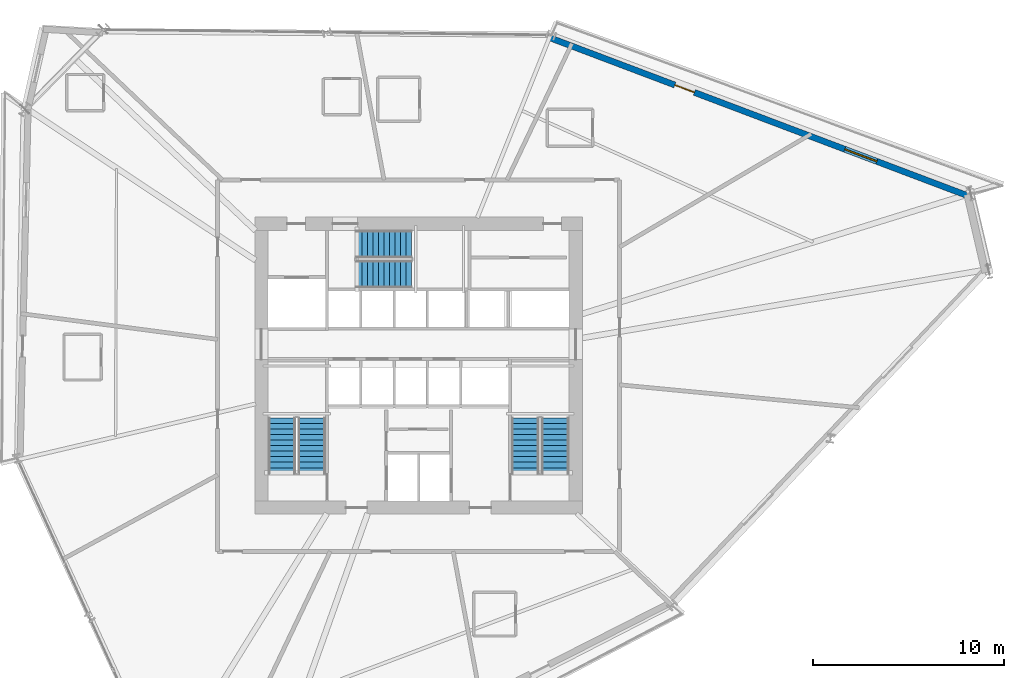
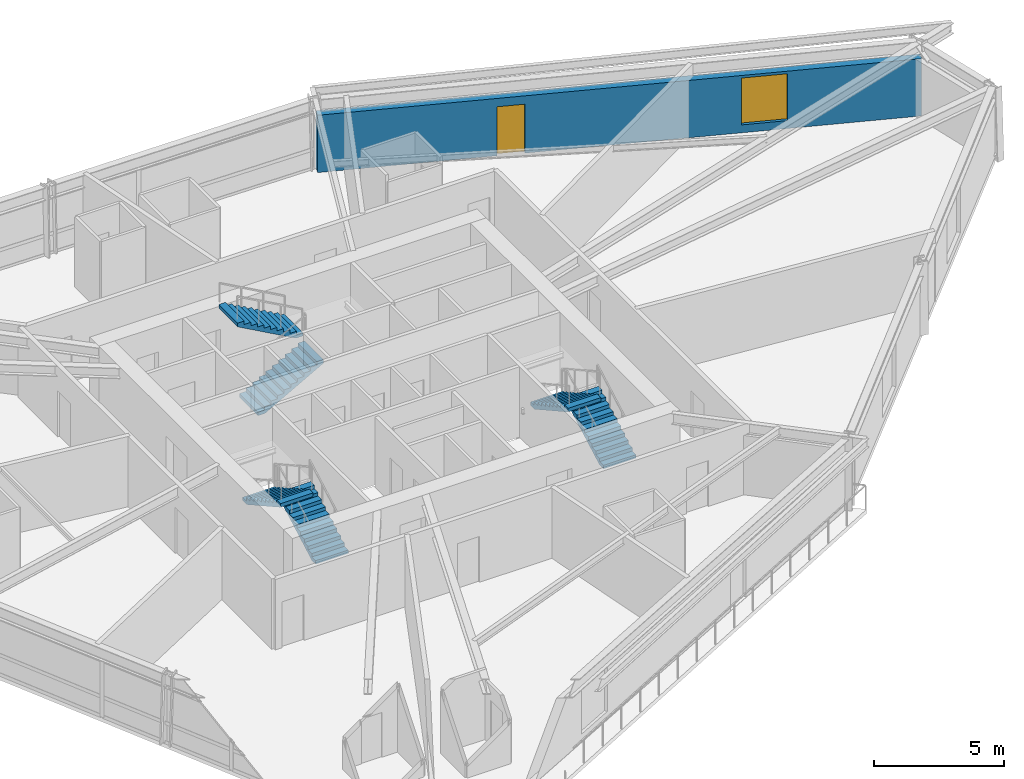
# One storey, part 17 of 21: 6 stair flights, 1 door, 1 wall, 1 window, 2 openings, 3 elements without a shape of their own.
"""IFC4 building model written with IfcOpenShell, lengths in metres."""

from ifc_helpers import new_model, si_unit, direction, frame, frame_2d, origin, place, context, subcontext, project, spatial, polyline, rectangle, outline, extrude, source, transform, mapped, material, layer, layer_set, type_object, type_shapes, element, fill, aggregate, save


model = new_model("IFC4")

# Units and contexts
model_context = context("Model", 3, precision=1e-05, world=origin(), true_north=direction((0.0, 1.0)))
body_context = subcontext(model_context, "Body", "Model", "MODEL_VIEW")
ifc_project = project(units=[si_unit("LENGTHUNIT", "METRE"), si_unit("AREAUNIT", "SQUARE_METRE"), si_unit("VOLUMEUNIT", "CUBIC_METRE"), si_unit("PLANEANGLEUNIT", "RADIAN"), si_unit("MASSUNIT", "GRAM", prefix="KILO")], contexts=[model_context])

# Site, building, storey
site_placement = place(None, origin())
site = spatial("IfcSite", under=ifc_project, at=site_placement, CompositionType="ELEMENT")
building_placement = place(site_placement, origin())
building = spatial("IfcBuilding", under=site, at=building_placement, Name="Olszyna Solenne Hotel", CompositionType="ELEMENT")
storey_placement = place(building_placement, frame((0.0, 0.0, 91.5)))
storey = spatial("IfcBuildingStorey", under=building, at=storey_placement, Name="L23", CompositionType="ELEMENT", Elevation=91.5)

# Wall, openings, door, window
ifc_material_1 = material(Name="Precast concrete C45/55", Category="concrete")
ifc_layer = layer(ifc_material_1, 0.320068359375, Name="Precast concrete C45/55")
ifc_layer_set = layer_set([ifc_layer], Name="Precast concrete C45/55")
wall_type = type_object("IfcWallType", Name="WL-EX320", PredefinedType="SOLIDWALL", material=ifc_layer_set)
wall_placement = place(storey_placement, frame((44.91552734375, 43.800537109375, 0.0), z_axis=(0.0, 0.0, 1.0), x_axis=(0.935383996815, -0.353633678404, 0.0)))
wall = element("IfcWall", 1, at=wall_placement, inside=storey, type_object=wall_type, Name="Exterior terracotta-precast frame wall WL-EX320 EW-L23-08", PredefinedType="SOLIDWALL", context=body_context, shape_type="SweptSolid", body=[
    extrude(rectangle(XDim=23.543212890625, YDim=0.320068359375, at=frame_2d((11.771484375, 0.0))), origin(), (0.0, 0.0, 1.0), 2.69189453125),
])
opening_1_placement = place(wall_placement, frame((6.98388671875, 0.0, 0.0)))
opening_1 = element("IfcOpeningElement", 2, at=opening_1_placement, cuts=wall, Name="Opening LDG-L23-1", PredefinedType="OPENING", context=body_context, shape_type="SweptSolid", body=[
    extrude(rectangle(XDim=1.10009765625, YDim=2.300048828125, at=frame_2d((0.550048828125, 1.14990234375))), frame((0.0, 0.169921875, 0.0), z_axis=(0.0, -1.0, 0.0), x_axis=(1.0, 0.0, 0.0)), (0.0, 0.0, 1.0), 0.340087890625),
])
opening_2_placement = place(wall_placement, frame((16.52197265625, 0.0, 0.3720703125)))
opening_2 = element("IfcOpeningElement", 3, at=opening_2_placement, cuts=wall, Name="Opening WN-L23-124", PredefinedType="OPENING", context=body_context, shape_type="SweptSolid", body=[
    extrude(rectangle(XDim=1.800048828125, YDim=2.199951171875, at=frame_2d((0.89990234375, 1.10009765625))), frame((0.0, 0.169921875, 0.0), z_axis=(0.0, -1.0, 0.0), x_axis=(1.0, 0.0, 0.0)), (0.0, 0.0, 1.0), 0.340087890625),
])
ifc_material_2 = material(Name="Anodised bronze aluminium", Category="aluminium")
door_type = type_object("IfcDoorType", Name="DR-LG1", OperationType="NOTDEFINED", PredefinedType="DOOR", material=ifc_material_2)
shared_shape_1 = source(origin(), body_context, "Body", "SweptSolid", [
    extrude(rectangle(XDim=1.10009765625, YDim=2.300048828125, at=frame_2d((0.550048828125, 1.14990234375))), frame((0.0, 0.02490234375, 0.0), z_axis=(0.0, -1.0, 0.0), x_axis=(1.0, 0.0, 0.0)), (0.0, 0.0, 1.0), 0.050048828125),
])
type_shapes(door_type, [shared_shape_1])
door_placement = place(opening_1_placement, origin())
door = element("IfcDoor", 4, at=door_placement, inside=storey, type_object=door_type, Name="Exterior loggia balcony door DR-LG1 LDG-L23-1", OperationType="SINGLE_SWING_RIGHT", OverallHeight=2.300048828125, OverallWidth=1.10009765625, PredefinedType="DOOR", context=body_context, shape_type="MappedRepresentation", body=[
    mapped(shared_shape_1, transform((0.0, 0.0, 0.0), x_axis=(1.0, 0.0, 0.0), y_axis=(0.0, 1.0, 0.0), z_axis=(0.0, 0.0, 1.0), scale=1.0)),
])
fill(opening_1, door)
ifc_material_3 = material(Name="Low-E triple glazing", Category="glass")
window_type = type_object("IfcWindowType", Name="WN-HT1", PartitioningType="SINGLE_PANEL", PredefinedType="WINDOW", material=ifc_material_3)
shared_shape_2 = source(origin(), body_context, "Body", "SweptSolid", [
    extrude(rectangle(XDim=1.800048828125, YDim=2.199951171875, at=frame_2d((0.89990234375, 1.10009765625))), frame((0.0, 0.030029296875, 0.0), z_axis=(0.0, -1.0, 0.0), x_axis=(1.0, 0.0, 0.0)), (0.0, 0.0, 1.0), 0.06005859375),
])
type_shapes(window_type, [shared_shape_2])
window_placement = place(opening_2_placement, origin())
window = element("IfcWindow", 5, at=window_placement, inside=storey, type_object=window_type, Name="Loggia room window WN-HT1 WN-L23-124", OverallHeight=2.199951171875, OverallWidth=1.800048828125, PartitioningType="SINGLE_PANEL", PredefinedType="WINDOW", context=body_context, shape_type="MappedRepresentation", body=[
    mapped(shared_shape_2, transform((0.0, 0.0, 0.0), x_axis=(1.0, 0.0, 0.0), y_axis=(0.0, 1.0, 0.0), z_axis=(0.0, 0.0, 1.0), scale=1.0)),
])
fill(opening_2, window)

# Stair, stair flights
ifc_material_4 = material(Name="Concrete C40/50", Category="concrete")
stair_type = type_object("IfcStairType", Name="STR-C1", PredefinedType="TWO_QUARTER_WINDING_STAIR", material=ifc_material_4)
stair_1_placement = place(storey_placement, origin())
stair_1 = element("IfcStair", 6, at=stair_1_placement, inside=storey, type_object=stair_type, Name="L23 ST1", PredefinedType="TWO_QUARTER_WINDING_STAIR")
stair_flight_type = type_object("IfcStairFlightType", Name="FLT-C1", PredefinedType="STRAIGHT", material=ifc_material_4)
stair_flight_1_placement = place(storey_placement, frame((32.39501953125, 20.949951171875, 0.0), z_axis=(0.0, 0.0, 1.0), x_axis=(0.0, 1.0, 0.0)))
stair_flight_1 = element("IfcStairFlight", 7, at=stair_flight_1_placement, type_object=stair_flight_type, Name="ST1 flight 1", NumberOfRisers=11, NumberOfTreads=10, PredefinedType="STRAIGHT", RiserHeight=0.161363636, TreadLength=0.29, context=body_context, shape_type="SweptSolid", body=[
    extrude(outline(polyline([(0.0, 0.0), (0.0, 0.161376953125), (0.2900390625, 0.161376953125), (0.2900390625, 0.32275390625), (0.580078125, 0.32275390625), (0.580078125, 0.484130859375), (0.8701171875, 0.484130859375), (0.8701171875, 0.6455078125), (1.159912109375, 0.6455078125), (1.159912109375, 0.806884765625), (1.449951171875, 0.806884765625), (1.449951171875, 0.96826171875), (1.739990234375, 0.96826171875), (1.739990234375, 1.129638671875), (2.030029296875, 1.129638671875), (2.030029296875, 1.291015625), (2.320068359375, 1.291015625), (2.320068359375, 1.452392578125), (2.610107421875, 1.452392578125), (2.610107421875, 1.613525390625), (2.89990234375, 1.613525390625), (2.89990234375, 1.77490234375), (2.89990234375, 1.442138671875), (0.308349609375, 0.0), (0.0, 0.0)])), frame((0.0, 0.72509765625, 0.0), z_axis=(0.0, -1.0, 0.0), x_axis=(1.0, 0.0, 0.0)), (0.0, 0.0, 1.0), 1.449951171875),
])
stair_flight_2_placement = place(storey_placement, frame((30.824951171875, 23.85009765625, 1.77490234375), z_axis=(0.0, 0.0, 1.0), x_axis=(0.0, -1.0, 0.0)))
stair_flight_2 = element("IfcStairFlight", 8, at=stair_flight_2_placement, type_object=stair_flight_type, Name="ST1 flight 2", NumberOfRisers=11, NumberOfTreads=10, PredefinedType="STRAIGHT", RiserHeight=0.161363636, TreadLength=0.29, context=body_context, shape_type="SweptSolid", body=[
    extrude(outline(polyline([(0.0, 0.0), (0.0, 0.161376953125), (0.2900390625, 0.161376953125), (0.2900390625, 0.32275390625), (0.580078125, 0.32275390625), (0.580078125, 0.484130859375), (0.8701171875, 0.484130859375), (0.8701171875, 0.6455078125), (1.159912109375, 0.6455078125), (1.159912109375, 0.806884765625), (1.449951171875, 0.806884765625), (1.449951171875, 0.96826171875), (1.739990234375, 0.96826171875), (1.739990234375, 1.129638671875), (2.030029296875, 1.129638671875), (2.030029296875, 1.291015625), (2.320068359375, 1.291015625), (2.320068359375, 1.452392578125), (2.610107421875, 1.452392578125), (2.610107421875, 1.613525390625), (2.89990234375, 1.613525390625), (2.89990234375, 1.77490234375), (2.89990234375, 1.442138671875), (0.308349609375, 0.0), (0.0, 0.0)])), frame((0.0, 0.72509765625, 0.0), z_axis=(0.0, -1.0, 0.0), x_axis=(1.0, 0.0, 0.0)), (0.0, 0.0, 1.0), 1.449951171875),
])
aggregate(stair_1, [stair_flight_1, stair_flight_2])

stair_2_placement = place(storey_placement, origin())
stair_2 = element("IfcStair", 9, at=stair_2_placement, inside=storey, type_object=stair_type, Name="L23 ST2", PredefinedType="TWO_QUARTER_WINDING_STAIR")
stair_flight_3_placement = place(storey_placement, frame((45.175048828125, 20.949951171875, 0.0), z_axis=(0.0, 0.0, 1.0), x_axis=(0.0, 1.0, 0.0)))
stair_flight_3 = element("IfcStairFlight", 10, at=stair_flight_3_placement, type_object=stair_flight_type, Name="ST2 flight 1", NumberOfRisers=11, NumberOfTreads=10, PredefinedType="STRAIGHT", RiserHeight=0.161363636, TreadLength=0.29, context=body_context, shape_type="SweptSolid", body=[
    extrude(outline(polyline([(0.0, 0.0), (0.0, 0.161376953125), (0.2900390625, 0.161376953125), (0.2900390625, 0.32275390625), (0.580078125, 0.32275390625), (0.580078125, 0.484130859375), (0.8701171875, 0.484130859375), (0.8701171875, 0.6455078125), (1.159912109375, 0.6455078125), (1.159912109375, 0.806884765625), (1.449951171875, 0.806884765625), (1.449951171875, 0.96826171875), (1.739990234375, 0.96826171875), (1.739990234375, 1.129638671875), (2.030029296875, 1.129638671875), (2.030029296875, 1.291015625), (2.320068359375, 1.291015625), (2.320068359375, 1.452392578125), (2.610107421875, 1.452392578125), (2.610107421875, 1.613525390625), (2.89990234375, 1.613525390625), (2.89990234375, 1.77490234375), (2.89990234375, 1.442138671875), (0.308349609375, 0.0), (0.0, 0.0)])), frame((0.0, 0.72509765625, 0.0), z_axis=(0.0, -1.0, 0.0), x_axis=(1.0, 0.0, 0.0)), (0.0, 0.0, 1.0), 1.449951171875),
])
stair_flight_4_placement = place(storey_placement, frame((43.60498046875, 23.85009765625, 1.77490234375), z_axis=(0.0, 0.0, 1.0), x_axis=(0.0, -1.0, 0.0)))
stair_flight_4 = element("IfcStairFlight", 11, at=stair_flight_4_placement, type_object=stair_flight_type, Name="ST2 flight 2", NumberOfRisers=11, NumberOfTreads=10, PredefinedType="STRAIGHT", RiserHeight=0.161363636, TreadLength=0.29, context=body_context, shape_type="SweptSolid", body=[
    extrude(outline(polyline([(0.0, 0.0), (0.0, 0.161376953125), (0.2900390625, 0.161376953125), (0.2900390625, 0.32275390625), (0.580078125, 0.32275390625), (0.580078125, 0.484130859375), (0.8701171875, 0.484130859375), (0.8701171875, 0.6455078125), (1.159912109375, 0.6455078125), (1.159912109375, 0.806884765625), (1.449951171875, 0.806884765625), (1.449951171875, 0.96826171875), (1.739990234375, 0.96826171875), (1.739990234375, 1.129638671875), (2.030029296875, 1.129638671875), (2.030029296875, 1.291015625), (2.320068359375, 1.291015625), (2.320068359375, 1.452392578125), (2.610107421875, 1.452392578125), (2.610107421875, 1.613525390625), (2.89990234375, 1.613525390625), (2.89990234375, 1.77490234375), (2.89990234375, 1.442138671875), (0.308349609375, 0.0), (0.0, 0.0)])), frame((0.0, 0.72509765625, 0.0), z_axis=(0.0, -1.0, 0.0), x_axis=(1.0, 0.0, 0.0)), (0.0, 0.0, 1.0), 1.449951171875),
])
aggregate(stair_2, [stair_flight_3, stair_flight_4])

stair_3_placement = place(storey_placement, origin())
stair_3 = element("IfcStair", 12, at=stair_3_placement, inside=storey, type_object=stair_type, Name="L23 ST3", PredefinedType="TWO_QUARTER_WINDING_STAIR")
stair_flight_5_placement = place(storey_placement, frame((34.72998046875, 31.405029296875, 0.0), z_axis=(0.0, 0.0, 1.0), x_axis=(1.0, 0.0, 0.0)))
stair_flight_5 = element("IfcStairFlight", 13, at=stair_flight_5_placement, type_object=stair_flight_type, Name="ST3 flight 1", NumberOfRisers=11, NumberOfTreads=10, PredefinedType="STRAIGHT", RiserHeight=0.161363636, TreadLength=0.29, context=body_context, shape_type="SweptSolid", body=[
    extrude(outline(polyline([(0.0, 0.0), (0.0, 0.161376953125), (0.2900390625, 0.161376953125), (0.2900390625, 0.32275390625), (0.580078125, 0.32275390625), (0.580078125, 0.484130859375), (0.8701171875, 0.484130859375), (0.8701171875, 0.6455078125), (1.159912109375, 0.6455078125), (1.159912109375, 0.806884765625), (1.449951171875, 0.806884765625), (1.449951171875, 0.96826171875), (1.739990234375, 0.96826171875), (1.739990234375, 1.129638671875), (2.030029296875, 1.129638671875), (2.030029296875, 1.291015625), (2.320068359375, 1.291015625), (2.320068359375, 1.452392578125), (2.610107421875, 1.452392578125), (2.610107421875, 1.613525390625), (2.89990234375, 1.613525390625), (2.89990234375, 1.77490234375), (2.89990234375, 1.442138671875), (0.308349609375, 0.0), (0.0, 0.0)])), frame((0.0, 0.72509765625, 0.0), z_axis=(0.0, -1.0, 0.0), x_axis=(1.0, 0.0, 0.0)), (0.0, 0.0, 1.0), 1.449951171875),
])
stair_flight_6_placement = place(storey_placement, frame((37.6298828125, 32.97509765625, 1.77490234375), z_axis=(0.0, 0.0, 1.0), x_axis=(-1.0, 0.0, 0.0)))
stair_flight_6 = element("IfcStairFlight", 14, at=stair_flight_6_placement, type_object=stair_flight_type, Name="ST3 flight 2", NumberOfRisers=11, NumberOfTreads=10, PredefinedType="STRAIGHT", RiserHeight=0.161363636, TreadLength=0.29, context=body_context, shape_type="SweptSolid", body=[
    extrude(outline(polyline([(0.0, 0.0), (0.0, 0.161376953125), (0.2900390625, 0.161376953125), (0.2900390625, 0.32275390625), (0.580078125, 0.32275390625), (0.580078125, 0.484130859375), (0.8701171875, 0.484130859375), (0.8701171875, 0.6455078125), (1.159912109375, 0.6455078125), (1.159912109375, 0.806884765625), (1.449951171875, 0.806884765625), (1.449951171875, 0.96826171875), (1.739990234375, 0.96826171875), (1.739990234375, 1.129638671875), (2.030029296875, 1.129638671875), (2.030029296875, 1.291015625), (2.320068359375, 1.291015625), (2.320068359375, 1.452392578125), (2.610107421875, 1.452392578125), (2.610107421875, 1.613525390625), (2.89990234375, 1.613525390625), (2.89990234375, 1.77490234375), (2.89990234375, 1.442138671875), (0.308349609375, 0.0), (0.0, 0.0)])), frame((0.0, 0.72509765625, 0.0), z_axis=(0.0, -1.0, 0.0), x_axis=(1.0, 0.0, 0.0)), (0.0, 0.0, 1.0), 1.449951171875),
])
aggregate(stair_3, [stair_flight_5, stair_flight_6])

save(model, "model.ifc")
